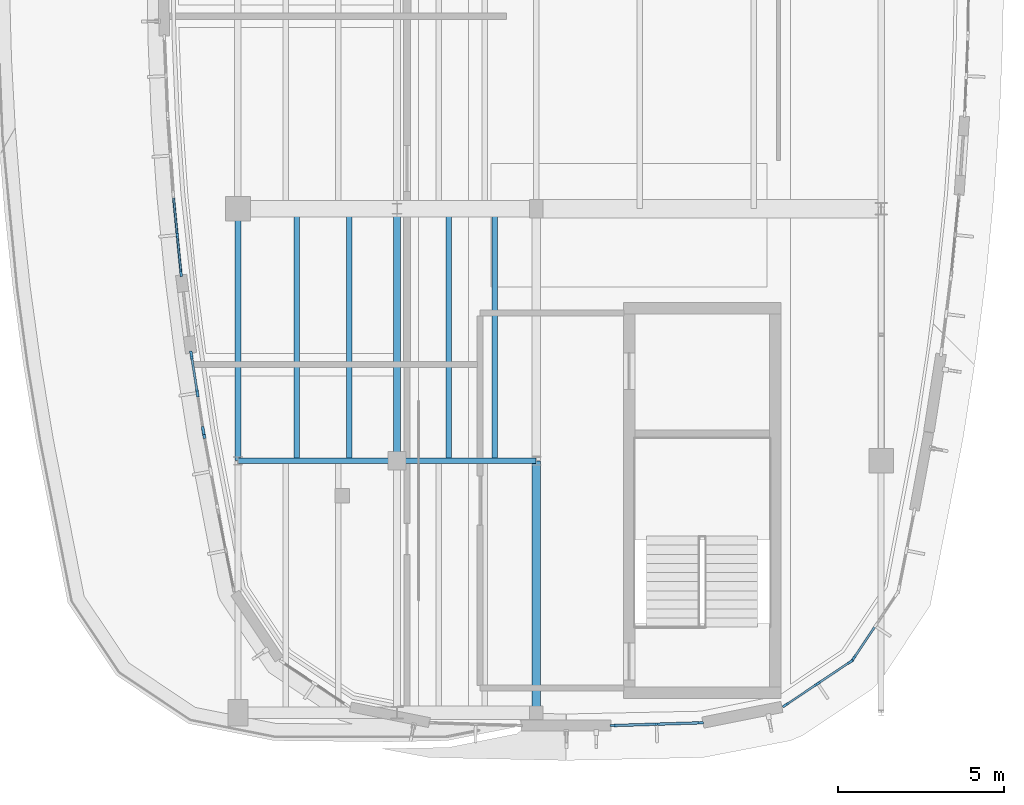
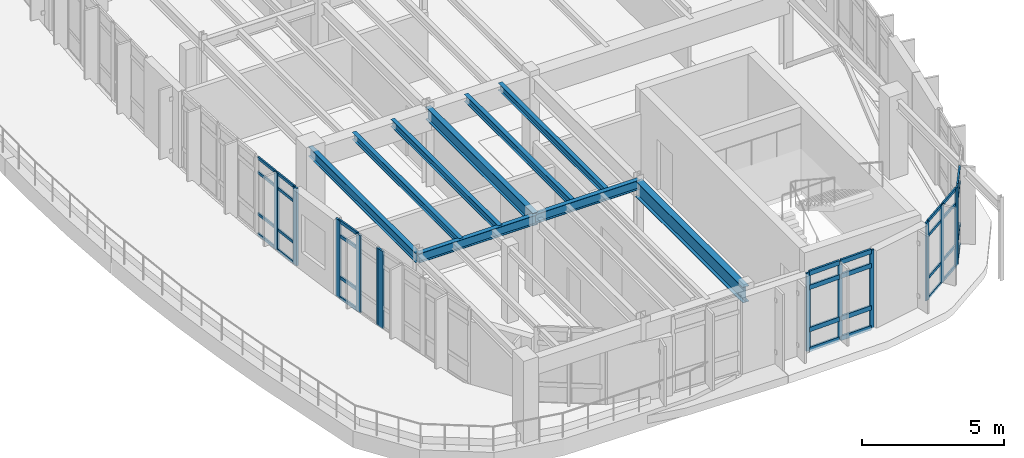
# One storey, part 5 of 20: 45 members, 9 beams, 6 elements without a shape of their own.
"""IFC4 building model written with IfcOpenShell, lengths in metres."""

from ifc_helpers import new_model, si_unit, direction, frame, origin, origin_2d, place, context, subcontext, project, spatial, rectangle, i_section, extrude, material, material_profile, profile_set, type_object, element, aggregate, save


model = new_model("IFC4")

# Units and contexts
model_context = context("Model", 3, precision=1e-05, world=origin(), true_north=direction((0.0, 1.0)))
body_context = subcontext(model_context, "Body", "Model", "MODEL_VIEW")
ifc_project = project(units=[si_unit("LENGTHUNIT", "METRE"), si_unit("AREAUNIT", "SQUARE_METRE"), si_unit("VOLUMEUNIT", "CUBIC_METRE"), si_unit("PLANEANGLEUNIT", "RADIAN"), si_unit("MASSUNIT", "GRAM", prefix="KILO")], contexts=[model_context])

# Site, building, storey
site_placement = place(None, origin())
site = spatial("IfcSite", under=ifc_project, at=site_placement, CompositionType="ELEMENT")
building_placement = place(site_placement, origin())
building = spatial("IfcBuilding", under=site, at=building_placement, Name="Corveleigh Park Community Centre", CompositionType="ELEMENT")
storey_placement = place(building_placement, frame((0.0, 0.0, 16.199951171875)))
storey = spatial("IfcBuildingStorey", under=building, at=storey_placement, Name="L04", CompositionType="ELEMENT", Elevation=16.199951171875)

# Beams
ifc_material_1 = material(Name="Steel S355", Category="steel")
ifc_material_profile_1 = material_profile(ifc_material_1, i_section(OverallWidth=0.165771484375, OverallDepth=0.306640625, WebThickness=0.006591796875, FlangeThickness=0.01171875, at=origin_2d()), Name="UKB 305x165x46", Category="steel")
ifc_profile_set_1 = profile_set([ifc_material_profile_1], Name="Steel S355")
beam_type_1 = type_object("IfcBeamType", Name="BM-STL-UKB305x46", PredefinedType="JOIST", material=ifc_profile_set_1)
for number, where, z_axis, x_axis, name in (
    (1, (150.77587890625, 66.205078125, 3.183837890625), (0.0, 1.0, 0.0), (-1.0, 0.0, 0.0), "Secondary floor joist"),
    (2, (152.360107421875, 66.205078125, 3.183837890625), (0.0, 1.0, 0.0), (-1.0, 0.0, 0.0), "Secondary floor joist"),
):
    element("IfcBeam", number, at=place(storey_placement, frame(where, z_axis=z_axis, x_axis=x_axis)), inside=storey, type_object=beam_type_1, Name=name, PredefinedType="JOIST", context=body_context, shape_type="SweptSolid", body=[
        extrude(i_section(OverallWidth=0.165771484375, OverallDepth=0.306640625, WebThickness=0.006591796875, FlangeThickness=0.01171875, at=origin_2d()), origin(), (0.0, 0.0, 1.0), 7.58984375),
    ])
ifc_material_profile_2 = material_profile(ifc_material_1, i_section(OverallWidth=0.1669921875, OverallDepth=0.310302734375, WebThickness=0.0078125, FlangeThickness=0.013671875, at=origin_2d()), Name="UKB 305x165x54", Category="steel")
ifc_profile_set_2 = profile_set([ifc_material_profile_2], Name="Steel S355")
beam_type_2 = type_object("IfcBeamType", Name="BM-STL-UKB305x54", PredefinedType="JOIST", material=ifc_profile_set_2)
for number, where, z_axis, x_axis, name in (
    (3, (155.35400390625, 66.205078125, 3.216796875), (0.0, 1.0, 0.0), (-1.0, 0.0, 0.0), "Secondary floor joist"),
    (4, (156.739990234375, 66.205078125, 3.216796875), (0.0, 1.0, 0.0), (-1.0, 0.0, 0.0), "Secondary floor joist"),
):
    element("IfcBeam", number, at=place(storey_placement, frame(where, z_axis=z_axis, x_axis=x_axis)), inside=storey, type_object=beam_type_2, Name=name, PredefinedType="JOIST", context=body_context, shape_type="SweptSolid", body=[
        extrude(i_section(OverallWidth=0.1669921875, OverallDepth=0.310302734375, WebThickness=0.0078125, FlangeThickness=0.013671875, at=origin_2d()), origin(), (0.0, 0.0, 1.0), 7.58984375),
    ])
ifc_material_profile_3 = material_profile(ifc_material_1, i_section(OverallWidth=0.177978515625, OverallDepth=0.406494140625, WebThickness=0.0078125, FlangeThickness=0.0126953125, at=origin_2d()), Name="UKB 406x178x60", Category="steel")
ifc_profile_set_3 = profile_set([ifc_material_profile_3], Name="Steel S355")
beam_type_3 = type_object("IfcBeamType", Name="BM-STL-UKB406x60", PredefinedType="BEAM", material=ifc_profile_set_3)
beam_1_placement = place(storey_placement, frame((149.0048828125, 66.199951171875, 3.1337890625), z_axis=(1.0, 0.0, 0.0), x_axis=(0.0, 1.0, 0.0)))
element("IfcBeam", 5, at=beam_1_placement, inside=storey, type_object=beam_type_3, Name="V4 Girder X", PredefinedType="BEAM", context=body_context, shape_type="SweptSolid", body=[
    extrude(i_section(OverallWidth=0.177978515625, OverallDepth=0.406494140625, WebThickness=0.0078125, FlangeThickness=0.0126953125, at=origin_2d()), origin(), (0.0, 0.0, 1.0), 4.7900390625),
])
ifc_material_profile_4 = material_profile(ifc_material_1, i_section(OverallWidth=0.1787109375, OverallDepth=0.409423828125, WebThickness=0.0087890625, FlangeThickness=0.014404296875, at=origin_2d()), Name="UKB 406x178x67", Category="steel")
ifc_profile_set_4 = profile_set([ifc_material_profile_4], Name="Steel S355")
beam_type_4 = type_object("IfcBeamType", Name="BM-STL-UKB406x67", PredefinedType="BEAM", material=ifc_profile_set_4)
beam_2_placement = place(storey_placement, frame((153.804931640625, 66.199951171875, 3.167236328125), z_axis=(1.0, 0.0, 0.0), x_axis=(0.0, 1.0, 0.0)))
element("IfcBeam", 6, at=beam_2_placement, inside=storey, type_object=beam_type_4, Name="V4 Girder X", PredefinedType="BEAM", context=body_context, shape_type="SweptSolid", body=[
    extrude(i_section(OverallWidth=0.1787109375, OverallDepth=0.409423828125, WebThickness=0.0087890625, FlangeThickness=0.014404296875, at=origin_2d()), origin(), (0.0, 0.0, 1.0), 4.190185546875),
])
ifc_material_profile_5 = material_profile(ifc_material_1, i_section(OverallWidth=0.179443359375, OverallDepth=0.412841796875, WebThickness=0.009521484375, FlangeThickness=0.01611328125, at=origin_2d()), Name="UKB 406x178x74", Category="steel")
ifc_profile_set_5 = profile_set([ifc_material_profile_5], Name="Steel S355")
beam_type_5 = type_object("IfcBeamType", Name="BM-STL-UKB406x74", PredefinedType="BEAM", material=ifc_profile_set_5)
beam_3_placement = place(storey_placement, frame((149.0, 66.205078125, 3.130615234375), z_axis=(0.0, 1.0, 0.0), x_axis=(-1.0, 0.0, 0.0)))
element("IfcBeam", 7, at=beam_3_placement, inside=storey, type_object=beam_type_5, Name="V4 Girder Y", PredefinedType="BEAM", context=body_context, shape_type="SweptSolid", body=[
    extrude(i_section(OverallWidth=0.179443359375, OverallDepth=0.412841796875, WebThickness=0.009521484375, FlangeThickness=0.01611328125, at=origin_2d()), origin(), (0.0, 0.0, 1.0), 7.58984375),
])
ifc_material_profile_6 = material_profile(ifc_material_1, i_section(OverallWidth=0.2099609375, OverallDepth=0.53662109375, WebThickness=0.0107421875, FlangeThickness=0.017333984375, at=origin_2d()), Name="UKB 533x210x101", Category="steel")
ifc_profile_set_6 = profile_set([ifc_material_profile_6], Name="Steel S355")
beam_type_6 = type_object("IfcBeamType", Name="BM-STL-UKB533x101", PredefinedType="BEAM", material=ifc_profile_set_6)
beam_4_placement = place(storey_placement, frame((153.800048828125, 66.205078125, 3.103759765625), z_axis=(0.0, 1.0, 0.0), x_axis=(-1.0, 0.0, 0.0)))
element("IfcBeam", 8, at=beam_4_placement, inside=storey, type_object=beam_type_6, Name="V4 Girder Y", PredefinedType="BEAM", context=body_context, shape_type="SweptSolid", body=[
    extrude(i_section(OverallWidth=0.2099609375, OverallDepth=0.53662109375, WebThickness=0.0107421875, FlangeThickness=0.017333984375, at=origin_2d()), origin(), (0.0, 0.0, 1.0), 7.58984375),
])
ifc_material_profile_7 = material_profile(ifc_material_1, i_section(OverallWidth=0.25439453125, OverallDepth=0.6875, WebThickness=0.01318359375, FlangeThickness=0.02099609375, at=origin_2d()), Name="UKB 686x254x152", Category="steel")
ifc_profile_set_7 = profile_set([ifc_material_profile_7], Name="Steel S355")
beam_type_7 = type_object("IfcBeamType", Name="BM-STL-UKB686x152", PredefinedType="BEAM", material=ifc_profile_set_7)
beam_5_placement = place(storey_placement, frame((158.0, 58.60498046875, 2.9931640625), z_axis=(0.0, 1.0, 0.0), x_axis=(-1.0, 0.0, 0.0)))
element("IfcBeam", 9, at=beam_5_placement, inside=storey, type_object=beam_type_7, Name="V4 Girder Y", PredefinedType="BEAM", context=body_context, shape_type="SweptSolid", body=[
    extrude(i_section(OverallWidth=0.25439453125, OverallDepth=0.6875, WebThickness=0.01318359375, FlangeThickness=0.02099609375, at=origin_2d()), origin(), (0.0, 0.0, 1.0), 7.590087890625),
])

# Curtain wall, members
ifc_material_2 = material(Name="Anodised aluminium 6063-T6", Category="aluminium")
curtain_wall_type = type_object("IfcCurtainWallType", Name="CW-SYS-V4-L03", PredefinedType="NOTDEFINED", material=ifc_material_2)
curtain_wall_1_placement = place(storey_placement, origin())
curtain_wall_1 = element("IfcCurtainWall", 10, at=curtain_wall_1_placement, inside=storey, type_object=curtain_wall_type, Name="V4 L04 Curtain Wall 440", PredefinedType="NOTDEFINED")
ifc_material_profile_8 = material_profile(ifc_material_2, rectangle(XDim=0.06494140625, YDim=0.179931640625, at=origin_2d()), Name="ALU-M65x180", Category="aluminium")
ifc_profile_set_8 = profile_set([ifc_material_profile_8], Name="Anodised aluminium 6063-T6")
member_type_1 = type_object("IfcMemberType", Name="CWM-65x180", PredefinedType="MULLION", material=ifc_profile_set_8)
member_1_placement = place(storey_placement, frame((162.944580078125, 58.298095703125, 0.0), z_axis=(0.0, 0.0, 1.0), x_axis=(0.031454254481, -0.99950519252, 0.0)))
member_1 = element("IfcMember", 11, at=member_1_placement, type_object=member_type_1, Name="CW09 mullion 1", PredefinedType="MULLION", context=body_context, shape_type="SweptSolid", body=[
    extrude(rectangle(XDim=0.06494140625, YDim=0.179931640625, at=origin_2d()), origin(), (0.0, 0.0, 1.0), 3.3720703125),
])
member_2_placement = place(storey_placement, frame((161.62646484375, 58.256591796875, 0.0), z_axis=(0.0, 0.0, 1.0), x_axis=(0.031454254481, -0.99950519252, 0.0)))
member_2 = element("IfcMember", 12, at=member_2_placement, type_object=member_type_1, Name="CW09 mullion 2", PredefinedType="MULLION", context=body_context, shape_type="SweptSolid", body=[
    extrude(rectangle(XDim=0.06494140625, YDim=0.179931640625, at=origin_2d()), origin(), (0.0, 0.0, 1.0), 3.3720703125),
])
member_3_placement = place(storey_placement, frame((160.30859375, 58.215087890625, 0.0), z_axis=(0.0, 0.0, 1.0), x_axis=(0.031454254481, -0.99950519252, 0.0)))
member_3 = element("IfcMember", 13, at=member_3_placement, type_object=member_type_1, Name="CW09 mullion 3", PredefinedType="MULLION", context=body_context, shape_type="SweptSolid", body=[
    extrude(rectangle(XDim=0.06494140625, YDim=0.179931640625, at=origin_2d()), origin(), (0.0, 0.0, 1.0), 3.3720703125),
])

curtain_wall_2_placement = place(storey_placement, origin())
curtain_wall_2 = element("IfcCurtainWall", 14, at=curtain_wall_2_placement, inside=storey, type_object=curtain_wall_type, Name="V4 L04 Curtain Wall 441", PredefinedType="NOTDEFINED")
ifc_material_profile_9 = material_profile(ifc_material_2, rectangle(XDim=0.070068359375, YDim=0.199951171875, at=origin_2d()), Name="ALU-M70x200", Category="aluminium")
ifc_profile_set_9 = profile_set([ifc_material_profile_9], Name="Anodised aluminium 6063-T6")
member_type_2 = type_object("IfcMemberType", Name="CWM-70x200", PredefinedType="MULLION", material=ifc_profile_set_9)
member_4_placement = place(storey_placement, frame((167.458984375, 60.130615234375, 0.0), z_axis=(0.0, 0.0, 1.0), x_axis=(0.555658190101, -0.83141083453, 0.0)))
member_4 = element("IfcMember", 15, at=member_4_placement, type_object=member_type_2, Name="CW09 mullion 1", PredefinedType="MULLION", context=body_context, shape_type="SweptSolid", body=[
    extrude(rectangle(XDim=0.070068359375, YDim=0.199951171875, at=origin_2d()), origin(), (0.0, 0.0, 1.0), 3.3720703125),
])
member_5_placement = place(storey_placement, frame((166.487060546875, 59.48095703125, 0.0), z_axis=(0.0, 0.0, 1.0), x_axis=(0.555658190101, -0.83141083453, 0.0)))
member_5 = element("IfcMember", 16, at=member_5_placement, type_object=member_type_2, Name="CW09 mullion 2", PredefinedType="MULLION", context=body_context, shape_type="SweptSolid", body=[
    extrude(rectangle(XDim=0.070068359375, YDim=0.199951171875, at=origin_2d()), origin(), (0.0, 0.0, 1.0), 3.3720703125),
])
member_6_placement = place(storey_placement, frame((165.51513671875, 58.83154296875, 0.0), z_axis=(0.0, 0.0, 1.0), x_axis=(0.555658190101, -0.83141083453, 0.0)))
member_6 = element("IfcMember", 17, at=member_6_placement, type_object=member_type_2, Name="CW09 mullion 3", PredefinedType="MULLION", context=body_context, shape_type="SweptSolid", body=[
    extrude(rectangle(XDim=0.070068359375, YDim=0.199951171875, at=origin_2d()), origin(), (0.0, 0.0, 1.0), 3.3720703125),
])

# Curtain wall, member
curtain_wall_3_placement = place(storey_placement, origin())
curtain_wall_3 = element("IfcCurtainWall", 18, at=curtain_wall_3_placement, inside=storey, type_object=curtain_wall_type, Name="V4 L04 Curtain Wall 442", PredefinedType="NOTDEFINED")
ifc_material_profile_10 = material_profile(ifc_material_2, rectangle(XDim=0.074951171875, YDim=0.219970703125, at=origin_2d()), Name="ALU-M75x220", Category="aluminium")
ifc_profile_set_10 = profile_set([ifc_material_profile_10], Name="Anodised aluminium 6063-T6")
member_type_3 = type_object("IfcMemberType", Name="CWM-75x220", PredefinedType="MULLION", material=ifc_profile_set_10)
member_7_placement = place(storey_placement, frame((167.57080078125, 60.2431640625, 0.0), z_axis=(0.0, 0.0, 1.0), x_axis=(0.83141083453, -0.555658190101, 0.0)))
member_7 = element("IfcMember", 19, at=member_7_placement, type_object=member_type_3, Name="CW09 mullion 3", PredefinedType="MULLION", context=body_context, shape_type="SweptSolid", body=[
    extrude(rectangle(XDim=0.074951171875, YDim=0.219970703125, at=origin_2d()), origin(), (0.0, 0.0, 1.0), 3.3720703125),
])

# Curtain wall, members
curtain_wall_4_placement = place(storey_placement, origin())
curtain_wall_4 = element("IfcCurtainWall", 20, at=curtain_wall_4_placement, inside=storey, type_object=curtain_wall_type, Name="V4 L04 Curtain Wall 466", PredefinedType="NOTDEFINED")
member_8_placement = place(storey_placement, frame((147.283203125, 71.861328125, 0.0), z_axis=(0.0, 0.0, 1.0), x_axis=(-0.995169228615, -0.098174367416, 0.0)))
member_8 = element("IfcMember", 21, at=member_8_placement, type_object=member_type_3, Name="CW09 mullion 1", PredefinedType="MULLION", context=body_context, shape_type="SweptSolid", body=[
    extrude(rectangle(XDim=0.074951171875, YDim=0.219970703125, at=origin_2d()), origin(), (0.0, 0.0, 1.0), 3.337158203125),
])
member_9_placement = place(storey_placement, frame((147.169921875, 73.010009765625, 0.0), z_axis=(0.0, 0.0, 1.0), x_axis=(-0.995169228615, -0.098174367416, 0.0)))
member_9 = element("IfcMember", 22, at=member_9_placement, type_object=member_type_3, Name="CW09 mullion 2", PredefinedType="MULLION", context=body_context, shape_type="SweptSolid", body=[
    extrude(rectangle(XDim=0.074951171875, YDim=0.219970703125, at=origin_2d()), origin(), (0.0, 0.0, 1.0), 3.337158203125),
])

curtain_wall_5_placement = place(storey_placement, origin())
curtain_wall_5 = element("IfcCurtainWall", 23, at=curtain_wall_5_placement, inside=storey, type_object=curtain_wall_type, Name="V4 L04 Curtain Wall 467", PredefinedType="NOTDEFINED")
ifc_material_profile_11 = material_profile(ifc_material_2, rectangle(XDim=0.080078125, YDim=0.25, at=origin_2d()), Name="ALU-M80x250", Category="aluminium")
ifc_profile_set_11 = profile_set([ifc_material_profile_11], Name="Anodised aluminium 6063-T6")
member_type_4 = type_object("IfcMemberType", Name="CWM-80x250", PredefinedType="MULLION", material=ifc_profile_set_11)
member_10_placement = place(storey_placement, frame((147.955810546875, 67.109619140625, 0.0), z_axis=(0.0, 0.0, 1.0), x_axis=(-0.987935898779, -0.154863358814, 0.0)))
member_10 = element("IfcMember", 24, at=member_10_placement, type_object=member_type_4, Name="CW09 mullion 1", PredefinedType="MULLION", context=body_context, shape_type="SweptSolid", body=[
    extrude(rectangle(XDim=0.080078125, YDim=0.25, at=origin_2d()), origin(), (0.0, 0.0, 1.0), 3.337158203125),
])
member_11_placement = place(storey_placement, frame((147.777587890625, 68.2470703125, 0.0), z_axis=(0.0, 0.0, 1.0), x_axis=(-0.987935898779, -0.154863358814, 0.0)))
member_11 = element("IfcMember", 25, at=member_11_placement, type_object=member_type_4, Name="CW09 mullion 2", PredefinedType="MULLION", context=body_context, shape_type="SweptSolid", body=[
    extrude(rectangle(XDim=0.080078125, YDim=0.25, at=origin_2d()), origin(), (0.0, 0.0, 1.0), 3.337158203125),
])
member_12_placement = place(storey_placement, frame((147.59912109375, 69.384521484375, 0.0), z_axis=(0.0, 0.0, 1.0), x_axis=(-0.987935898779, -0.154863358814, 0.0)))
member_12 = element("IfcMember", 26, at=member_12_placement, type_object=member_type_4, Name="CW09 mullion 3", PredefinedType="MULLION", context=body_context, shape_type="SweptSolid", body=[
    extrude(rectangle(XDim=0.080078125, YDim=0.25, at=origin_2d()), origin(), (0.0, 0.0, 1.0), 3.337158203125),
])

# Curtain wall, member
curtain_wall_6_placement = place(storey_placement, origin())
curtain_wall_6 = element("IfcCurtainWall", 27, at=curtain_wall_6_placement, inside=storey, type_object=curtain_wall_type, Name="V4 L04 Curtain Wall 468", PredefinedType="NOTDEFINED")
ifc_material_profile_12 = material_profile(ifc_material_2, rectangle(XDim=0.0849609375, YDim=0.27490234375, at=origin_2d()), Name="ALU-M85x275", Category="aluminium")
ifc_profile_set_12 = profile_set([ifc_material_profile_12], Name="Anodised aluminium 6063-T6")
member_type_5 = type_object("IfcMemberType", Name="CWM-85x275", PredefinedType="MULLION", material=ifc_profile_set_12)
member_13_placement = place(storey_placement, frame((147.97265625, 67.01025390625, 0.0), z_axis=(0.0, 0.0, 1.0), x_axis=(-0.983301463744, -0.181984151504, 0.0)))
member_13 = element("IfcMember", 28, at=member_13_placement, type_object=member_type_5, Name="CW09 mullion 3", PredefinedType="MULLION", context=body_context, shape_type="SweptSolid", body=[
    extrude(rectangle(XDim=0.0849609375, YDim=0.27490234375, at=origin_2d()), origin(), (0.0, 0.0, 1.0), 3.337158203125),
])
aggregate(curtain_wall_6, [member_13])

# Member
ifc_material_profile_13 = material_profile(ifc_material_2, rectangle(XDim=0.06005859375, YDim=0.1201171875, at=origin_2d()), Name="ALU-T60x120", Category="aluminium")
ifc_profile_set_13 = profile_set([ifc_material_profile_13], Name="Anodised aluminium 6063-T6")
member_type_6 = type_object("IfcMemberType", Name="CWT-60x120", PredefinedType="USERDEFINED", material=ifc_profile_set_13)
member_14_placement = place(storey_placement, frame((167.4296875, 60.111083984375, 0.030029296875), z_axis=(-0.831400272697, -0.555673993056, 0.0), x_axis=(0.555673993056, -0.831400272697, 0.0)))
member_14 = element("IfcMember", 29, at=member_14_placement, type_object=member_type_6, Name="CW09 transom 1.1", ObjectType="TRANSOM", PredefinedType="USERDEFINED", context=body_context, shape_type="SweptSolid", body=[
    extrude(rectangle(XDim=0.06005859375, YDim=0.1201171875, at=origin_2d()), origin(), (0.0, 0.0, 1.0), 1.098876953125),
])

member_15_placement = place(storey_placement, frame((167.4296875, 60.111083984375, 0.900146484375), z_axis=(-0.831400272697, -0.555673993056, 0.0), x_axis=(0.555673993056, -0.831400272697, 0.0)))
member_15 = element("IfcMember", 30, at=member_15_placement, type_object=member_type_6, Name="CW09 transom 1.2", ObjectType="TRANSOM", PredefinedType="USERDEFINED", context=body_context, shape_type="SweptSolid", body=[
    extrude(rectangle(XDim=0.06005859375, YDim=0.1201171875, at=origin_2d()), origin(), (0.0, 0.0, 1.0), 1.098876953125),
])

member_16_placement = place(storey_placement, frame((167.4296875, 60.111083984375, 2.72216796875), z_axis=(-0.831400272697, -0.555673993056, 0.0), x_axis=(0.555673993056, -0.831400272697, 0.0)))
member_16 = element("IfcMember", 31, at=member_16_placement, type_object=member_type_6, Name="CW09 transom 1.3", ObjectType="TRANSOM", PredefinedType="USERDEFINED", context=body_context, shape_type="SweptSolid", body=[
    extrude(rectangle(XDim=0.06005859375, YDim=0.1201171875, at=origin_2d()), origin(), (0.0, 0.0, 1.0), 1.098876953125),
])

member_17_placement = place(storey_placement, frame((167.4296875, 60.111083984375, 3.342041015625), z_axis=(-0.831400272697, -0.555673993056, 0.0), x_axis=(0.555673993056, -0.831400272697, 0.0)))
member_17 = element("IfcMember", 32, at=member_17_placement, type_object=member_type_6, Name="CW09 transom 1.4", ObjectType="TRANSOM", PredefinedType="USERDEFINED", context=body_context, shape_type="SweptSolid", body=[
    extrude(rectangle(XDim=0.06005859375, YDim=0.1201171875, at=origin_2d()), origin(), (0.0, 0.0, 1.0), 1.098876953125),
])

member_18_placement = place(storey_placement, frame((166.4580078125, 59.461669921875, 0.030029296875), z_axis=(-0.831366240445, -0.555724908788, 0.0), x_axis=(0.555724908788, -0.831366240445, 0.0)))
member_18 = element("IfcMember", 33, at=member_18_placement, type_object=member_type_6, Name="CW09 transom 2.1", ObjectType="TRANSOM", PredefinedType="USERDEFINED", context=body_context, shape_type="SweptSolid", body=[
    extrude(rectangle(XDim=0.06005859375, YDim=0.1201171875, at=origin_2d()), origin(), (0.0, 0.0, 1.0), 1.09912109375),
])

member_19_placement = place(storey_placement, frame((166.4580078125, 59.461669921875, 0.900146484375), z_axis=(-0.831366240445, -0.555724908788, 0.0), x_axis=(0.555724908788, -0.831366240445, 0.0)))
member_19 = element("IfcMember", 34, at=member_19_placement, type_object=member_type_6, Name="CW09 transom 2.2", ObjectType="TRANSOM", PredefinedType="USERDEFINED", context=body_context, shape_type="SweptSolid", body=[
    extrude(rectangle(XDim=0.06005859375, YDim=0.1201171875, at=origin_2d()), origin(), (0.0, 0.0, 1.0), 1.09912109375),
])

member_20_placement = place(storey_placement, frame((166.4580078125, 59.461669921875, 2.72216796875), z_axis=(-0.831366240445, -0.555724908788, 0.0), x_axis=(0.555724908788, -0.831366240445, 0.0)))
member_20 = element("IfcMember", 35, at=member_20_placement, type_object=member_type_6, Name="CW09 transom 2.3", ObjectType="TRANSOM", PredefinedType="USERDEFINED", context=body_context, shape_type="SweptSolid", body=[
    extrude(rectangle(XDim=0.06005859375, YDim=0.1201171875, at=origin_2d()), origin(), (0.0, 0.0, 1.0), 1.09912109375),
])

member_21_placement = place(storey_placement, frame((166.4580078125, 59.461669921875, 3.342041015625), z_axis=(-0.831366240445, -0.555724908788, 0.0), x_axis=(0.555724908788, -0.831366240445, 0.0)))
member_21 = element("IfcMember", 36, at=member_21_placement, type_object=member_type_6, Name="CW09 transom 2.4", ObjectType="TRANSOM", PredefinedType="USERDEFINED", context=body_context, shape_type="SweptSolid", body=[
    extrude(rectangle(XDim=0.06005859375, YDim=0.1201171875, at=origin_2d()), origin(), (0.0, 0.0, 1.0), 1.09912109375),
])

aggregate(curtain_wall_2, [member_4, member_5, member_6, member_14, member_15, member_16, member_17, member_18, member_19, member_20, member_21])

member_22_placement = place(storey_placement, frame((147.279541015625, 71.898681640625, 0.030029296875), z_axis=(-0.098182112661, 0.995168464509, 0.0), x_axis=(-0.995168464509, -0.098182112661, 0.0)))
member_22 = element("IfcMember", 37, at=member_22_placement, type_object=member_type_6, Name="CW09 transom 1.1", ObjectType="TRANSOM", PredefinedType="USERDEFINED", context=body_context, shape_type="SweptSolid", body=[
    extrude(rectangle(XDim=0.06005859375, YDim=0.1201171875, at=origin_2d()), origin(), (0.0, 0.0, 1.0), 1.0791015625),
])

member_23_placement = place(storey_placement, frame((147.279541015625, 71.898681640625, 0.900146484375), z_axis=(-0.098182112661, 0.995168464509, 0.0), x_axis=(-0.995168464509, -0.098182112661, 0.0)))
member_23 = element("IfcMember", 38, at=member_23_placement, type_object=member_type_6, Name="CW09 transom 1.2", ObjectType="TRANSOM", PredefinedType="USERDEFINED", context=body_context, shape_type="SweptSolid", body=[
    extrude(rectangle(XDim=0.06005859375, YDim=0.1201171875, at=origin_2d()), origin(), (0.0, 0.0, 1.0), 1.0791015625),
])

member_24_placement = place(storey_placement, frame((147.279541015625, 71.898681640625, 2.68701171875), z_axis=(-0.098182112661, 0.995168464509, 0.0), x_axis=(-0.995168464509, -0.098182112661, 0.0)))
member_24 = element("IfcMember", 39, at=member_24_placement, type_object=member_type_6, Name="CW09 transom 1.3", ObjectType="TRANSOM", PredefinedType="USERDEFINED", context=body_context, shape_type="SweptSolid", body=[
    extrude(rectangle(XDim=0.06005859375, YDim=0.1201171875, at=origin_2d()), origin(), (0.0, 0.0, 1.0), 1.0791015625),
])

member_25_placement = place(storey_placement, frame((147.279541015625, 71.898681640625, 3.30712890625), z_axis=(-0.098182112661, 0.995168464509, 0.0), x_axis=(-0.995168464509, -0.098182112661, 0.0)))
member_25 = element("IfcMember", 40, at=member_25_placement, type_object=member_type_6, Name="CW09 transom 1.4", ObjectType="TRANSOM", PredefinedType="USERDEFINED", context=body_context, shape_type="SweptSolid", body=[
    extrude(rectangle(XDim=0.06005859375, YDim=0.1201171875, at=origin_2d()), origin(), (0.0, 0.0, 1.0), 1.0791015625),
])

member_26_placement = place(storey_placement, frame((147.166259765625, 73.04736328125, 0.030029296875), z_axis=(-0.098182112661, 0.995168464509, 0.0), x_axis=(-0.995168464509, -0.098182112661, 0.0)))
member_26 = element("IfcMember", 41, at=member_26_placement, type_object=member_type_6, Name="CW09 transom 2.1", ObjectType="TRANSOM", PredefinedType="USERDEFINED", context=body_context, shape_type="SweptSolid", body=[
    extrude(rectangle(XDim=0.06005859375, YDim=0.1201171875, at=origin_2d()), origin(), (0.0, 0.0, 1.0), 1.0791015625),
])

member_27_placement = place(storey_placement, frame((147.166259765625, 73.04736328125, 0.900146484375), z_axis=(-0.098182112661, 0.995168464509, 0.0), x_axis=(-0.995168464509, -0.098182112661, 0.0)))
member_27 = element("IfcMember", 42, at=member_27_placement, type_object=member_type_6, Name="CW09 transom 2.2", ObjectType="TRANSOM", PredefinedType="USERDEFINED", context=body_context, shape_type="SweptSolid", body=[
    extrude(rectangle(XDim=0.06005859375, YDim=0.1201171875, at=origin_2d()), origin(), (0.0, 0.0, 1.0), 1.0791015625),
])

member_28_placement = place(storey_placement, frame((147.166259765625, 73.04736328125, 2.68701171875), z_axis=(-0.098182112661, 0.995168464509, 0.0), x_axis=(-0.995168464509, -0.098182112661, 0.0)))
member_28 = element("IfcMember", 43, at=member_28_placement, type_object=member_type_6, Name="CW09 transom 2.3", ObjectType="TRANSOM", PredefinedType="USERDEFINED", context=body_context, shape_type="SweptSolid", body=[
    extrude(rectangle(XDim=0.06005859375, YDim=0.1201171875, at=origin_2d()), origin(), (0.0, 0.0, 1.0), 1.0791015625),
])

member_29_placement = place(storey_placement, frame((147.166259765625, 73.04736328125, 3.30712890625), z_axis=(-0.098182112661, 0.995168464509, 0.0), x_axis=(-0.995168464509, -0.098182112661, 0.0)))
member_29 = element("IfcMember", 44, at=member_29_placement, type_object=member_type_6, Name="CW09 transom 2.4", ObjectType="TRANSOM", PredefinedType="USERDEFINED", context=body_context, shape_type="SweptSolid", body=[
    extrude(rectangle(XDim=0.06005859375, YDim=0.1201171875, at=origin_2d()), origin(), (0.0, 0.0, 1.0), 1.0791015625),
])

aggregate(curtain_wall_4, [member_8, member_9, member_22, member_23, member_24, member_25, member_26, member_27, member_28, member_29])

ifc_material_profile_14 = material_profile(ifc_material_2, rectangle(XDim=0.06494140625, YDim=0.139892578125, at=origin_2d()), Name="ALU-T65x140", Category="aluminium")
ifc_profile_set_14 = profile_set([ifc_material_profile_14], Name="Anodised aluminium 6063-T6")
member_type_7 = type_object("IfcMemberType", Name="CWT-65x140", PredefinedType="USERDEFINED", material=ifc_profile_set_14)
member_30_placement = place(storey_placement, frame((168.1982421875, 61.181884765625, 0.032470703125), z_axis=(-0.555783593923, -0.831327009501, 0.0), x_axis=(0.831327009501, -0.555783593923, 0.0)))
member_30 = element("IfcMember", 45, at=member_30_placement, type_object=member_type_7, Name="CW09 transom 2.1", ObjectType="TRANSOM", PredefinedType="USERDEFINED", context=body_context, shape_type="SweptSolid", body=[
    extrude(rectangle(XDim=0.06494140625, YDim=0.139892578125, at=origin_2d()), origin(), (0.0, 0.0, 1.0), 1.091552734375),
])

member_31_placement = place(storey_placement, frame((168.1982421875, 61.181884765625, 0.900146484375), z_axis=(-0.555783593923, -0.831327009501, 0.0), x_axis=(0.831327009501, -0.555783593923, 0.0)))
member_31 = element("IfcMember", 46, at=member_31_placement, type_object=member_type_7, Name="CW09 transom 2.2", ObjectType="TRANSOM", PredefinedType="USERDEFINED", context=body_context, shape_type="SweptSolid", body=[
    extrude(rectangle(XDim=0.06494140625, YDim=0.139892578125, at=origin_2d()), origin(), (0.0, 0.0, 1.0), 1.091552734375),
])

member_32_placement = place(storey_placement, frame((168.1982421875, 61.181884765625, 2.72216796875), z_axis=(-0.555783593923, -0.831327009501, 0.0), x_axis=(0.831327009501, -0.555783593923, 0.0)))
member_32 = element("IfcMember", 47, at=member_32_placement, type_object=member_type_7, Name="CW09 transom 2.3", ObjectType="TRANSOM", PredefinedType="USERDEFINED", context=body_context, shape_type="SweptSolid", body=[
    extrude(rectangle(XDim=0.06494140625, YDim=0.139892578125, at=origin_2d()), origin(), (0.0, 0.0, 1.0), 1.091552734375),
])

member_33_placement = place(storey_placement, frame((168.1982421875, 61.181884765625, 3.339599609375), z_axis=(-0.555783593923, -0.831327009501, 0.0), x_axis=(0.831327009501, -0.555783593923, 0.0)))
member_33 = element("IfcMember", 48, at=member_33_placement, type_object=member_type_7, Name="CW09 transom 2.4", ObjectType="TRANSOM", PredefinedType="USERDEFINED", context=body_context, shape_type="SweptSolid", body=[
    extrude(rectangle(XDim=0.06494140625, YDim=0.139892578125, at=origin_2d()), origin(), (0.0, 0.0, 1.0), 1.091552734375),
])

aggregate(curtain_wall_3, [member_7, member_30, member_31, member_32, member_33])

member_34_placement = place(storey_placement, frame((147.771240234375, 68.28662109375, 0.032470703125), z_axis=(-0.154745336161, 0.987954392134, 0.0), x_axis=(-0.987954392134, -0.154745336161, 0.0)))
member_34 = element("IfcMember", 49, at=member_34_placement, type_object=member_type_7, Name="CW09 transom 2.1", ObjectType="TRANSOM", PredefinedType="USERDEFINED", context=body_context, shape_type="SweptSolid", body=[
    extrude(rectangle(XDim=0.06494140625, YDim=0.139892578125, at=origin_2d()), origin(), (0.0, 0.0, 1.0), 1.0712890625),
])

member_35_placement = place(storey_placement, frame((147.771240234375, 68.28662109375, 0.900146484375), z_axis=(-0.154745336161, 0.987954392134, 0.0), x_axis=(-0.987954392134, -0.154745336161, 0.0)))
member_35 = element("IfcMember", 50, at=member_35_placement, type_object=member_type_7, Name="CW09 transom 2.2", ObjectType="TRANSOM", PredefinedType="USERDEFINED", context=body_context, shape_type="SweptSolid", body=[
    extrude(rectangle(XDim=0.06494140625, YDim=0.139892578125, at=origin_2d()), origin(), (0.0, 0.0, 1.0), 1.0712890625),
])

member_36_placement = place(storey_placement, frame((147.771240234375, 68.28662109375, 2.68701171875), z_axis=(-0.154745336161, 0.987954392134, 0.0), x_axis=(-0.987954392134, -0.154745336161, 0.0)))
member_36 = element("IfcMember", 51, at=member_36_placement, type_object=member_type_7, Name="CW09 transom 2.3", ObjectType="TRANSOM", PredefinedType="USERDEFINED", context=body_context, shape_type="SweptSolid", body=[
    extrude(rectangle(XDim=0.06494140625, YDim=0.139892578125, at=origin_2d()), origin(), (0.0, 0.0, 1.0), 1.0712890625),
])

member_37_placement = place(storey_placement, frame((147.771240234375, 68.28662109375, 3.304443359375), z_axis=(-0.154745336161, 0.987954392134, 0.0), x_axis=(-0.987954392134, -0.154745336161, 0.0)))
member_37 = element("IfcMember", 52, at=member_37_placement, type_object=member_type_7, Name="CW09 transom 2.4", ObjectType="TRANSOM", PredefinedType="USERDEFINED", context=body_context, shape_type="SweptSolid", body=[
    extrude(rectangle(XDim=0.06494140625, YDim=0.139892578125, at=origin_2d()), origin(), (0.0, 0.0, 1.0), 1.0712890625),
])

aggregate(curtain_wall_5, [member_10, member_11, member_12, member_34, member_35, member_36, member_37])

ifc_material_profile_15 = material_profile(ifc_material_2, rectangle(XDim=0.080078125, YDim=0.195068359375, at=origin_2d()), Name="ALU-T80x195", Category="aluminium")
ifc_profile_set_15 = profile_set([ifc_material_profile_15], Name="Anodised aluminium 6063-T6")
member_type_8 = type_object("IfcMemberType", Name="CWT-80x195", PredefinedType="USERDEFINED", material=ifc_profile_set_15)
member_38_placement = place(storey_placement, frame((162.912109375, 58.296875, 0.0400390625), z_axis=(-0.999508459931, -0.031350255611, 0.0), x_axis=(0.031350255611, -0.999508459931, 0.0)))
member_38 = element("IfcMember", 53, at=member_38_placement, type_object=member_type_8, Name="CW09 transom 1.1", ObjectType="TRANSOM", PredefinedType="USERDEFINED", context=body_context, shape_type="SweptSolid", body=[
    extrude(rectangle(XDim=0.080078125, YDim=0.195068359375, at=origin_2d()), origin(), (0.0, 0.0, 1.0), 1.25390625),
])

member_39_placement = place(storey_placement, frame((162.912109375, 58.296875, 0.900146484375), z_axis=(-0.999508459931, -0.031350255611, 0.0), x_axis=(0.031350255611, -0.999508459931, 0.0)))
member_39 = element("IfcMember", 54, at=member_39_placement, type_object=member_type_8, Name="CW09 transom 1.2", ObjectType="TRANSOM", PredefinedType="USERDEFINED", context=body_context, shape_type="SweptSolid", body=[
    extrude(rectangle(XDim=0.080078125, YDim=0.195068359375, at=origin_2d()), origin(), (0.0, 0.0, 1.0), 1.25390625),
])

member_40_placement = place(storey_placement, frame((162.912109375, 58.296875, 2.72216796875), z_axis=(-0.999508459931, -0.031350255611, 0.0), x_axis=(0.031350255611, -0.999508459931, 0.0)))
member_40 = element("IfcMember", 55, at=member_40_placement, type_object=member_type_8, Name="CW09 transom 1.3", ObjectType="TRANSOM", PredefinedType="USERDEFINED", context=body_context, shape_type="SweptSolid", body=[
    extrude(rectangle(XDim=0.080078125, YDim=0.195068359375, at=origin_2d()), origin(), (0.0, 0.0, 1.0), 1.25390625),
])

member_41_placement = place(storey_placement, frame((162.912109375, 58.296875, 3.33203125), z_axis=(-0.999508459931, -0.031350255611, 0.0), x_axis=(0.031350255611, -0.999508459931, 0.0)))
member_41 = element("IfcMember", 56, at=member_41_placement, type_object=member_type_8, Name="CW09 transom 1.4", ObjectType="TRANSOM", PredefinedType="USERDEFINED", context=body_context, shape_type="SweptSolid", body=[
    extrude(rectangle(XDim=0.080078125, YDim=0.195068359375, at=origin_2d()), origin(), (0.0, 0.0, 1.0), 1.25390625),
])

member_42_placement = place(storey_placement, frame((161.593994140625, 58.25537109375, 0.0400390625), z_axis=(-0.999508268495, -0.031356358384, 0.0), x_axis=(0.031356358384, -0.999508268495, 0.0)))
member_42 = element("IfcMember", 57, at=member_42_placement, type_object=member_type_8, Name="CW09 transom 2.1", ObjectType="TRANSOM", PredefinedType="USERDEFINED", context=body_context, shape_type="SweptSolid", body=[
    extrude(rectangle(XDim=0.080078125, YDim=0.195068359375, at=origin_2d()), origin(), (0.0, 0.0, 1.0), 1.253662109375),
])

member_43_placement = place(storey_placement, frame((161.593994140625, 58.25537109375, 0.900146484375), z_axis=(-0.999508268495, -0.031356358384, 0.0), x_axis=(0.031356358384, -0.999508268495, 0.0)))
member_43 = element("IfcMember", 58, at=member_43_placement, type_object=member_type_8, Name="CW09 transom 2.2", ObjectType="TRANSOM", PredefinedType="USERDEFINED", context=body_context, shape_type="SweptSolid", body=[
    extrude(rectangle(XDim=0.080078125, YDim=0.195068359375, at=origin_2d()), origin(), (0.0, 0.0, 1.0), 1.253662109375),
])

member_44_placement = place(storey_placement, frame((161.593994140625, 58.25537109375, 2.72216796875), z_axis=(-0.999508268495, -0.031356358384, 0.0), x_axis=(0.031356358384, -0.999508268495, 0.0)))
member_44 = element("IfcMember", 59, at=member_44_placement, type_object=member_type_8, Name="CW09 transom 2.3", ObjectType="TRANSOM", PredefinedType="USERDEFINED", context=body_context, shape_type="SweptSolid", body=[
    extrude(rectangle(XDim=0.080078125, YDim=0.195068359375, at=origin_2d()), origin(), (0.0, 0.0, 1.0), 1.253662109375),
])

member_45_placement = place(storey_placement, frame((161.593994140625, 58.25537109375, 3.33203125), z_axis=(-0.999508268495, -0.031356358384, 0.0), x_axis=(0.031356358384, -0.999508268495, 0.0)))
member_45 = element("IfcMember", 60, at=member_45_placement, type_object=member_type_8, Name="CW09 transom 2.4", ObjectType="TRANSOM", PredefinedType="USERDEFINED", context=body_context, shape_type="SweptSolid", body=[
    extrude(rectangle(XDim=0.080078125, YDim=0.195068359375, at=origin_2d()), origin(), (0.0, 0.0, 1.0), 1.253662109375),
])

aggregate(curtain_wall_1, [member_1, member_2, member_3, member_38, member_39, member_40, member_41, member_42, member_43, member_44, member_45])

save(model, "model.ifc")
